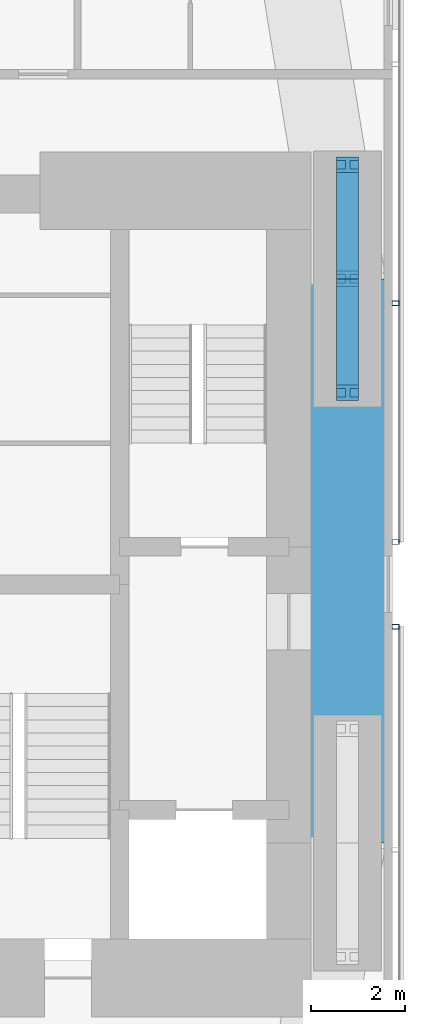
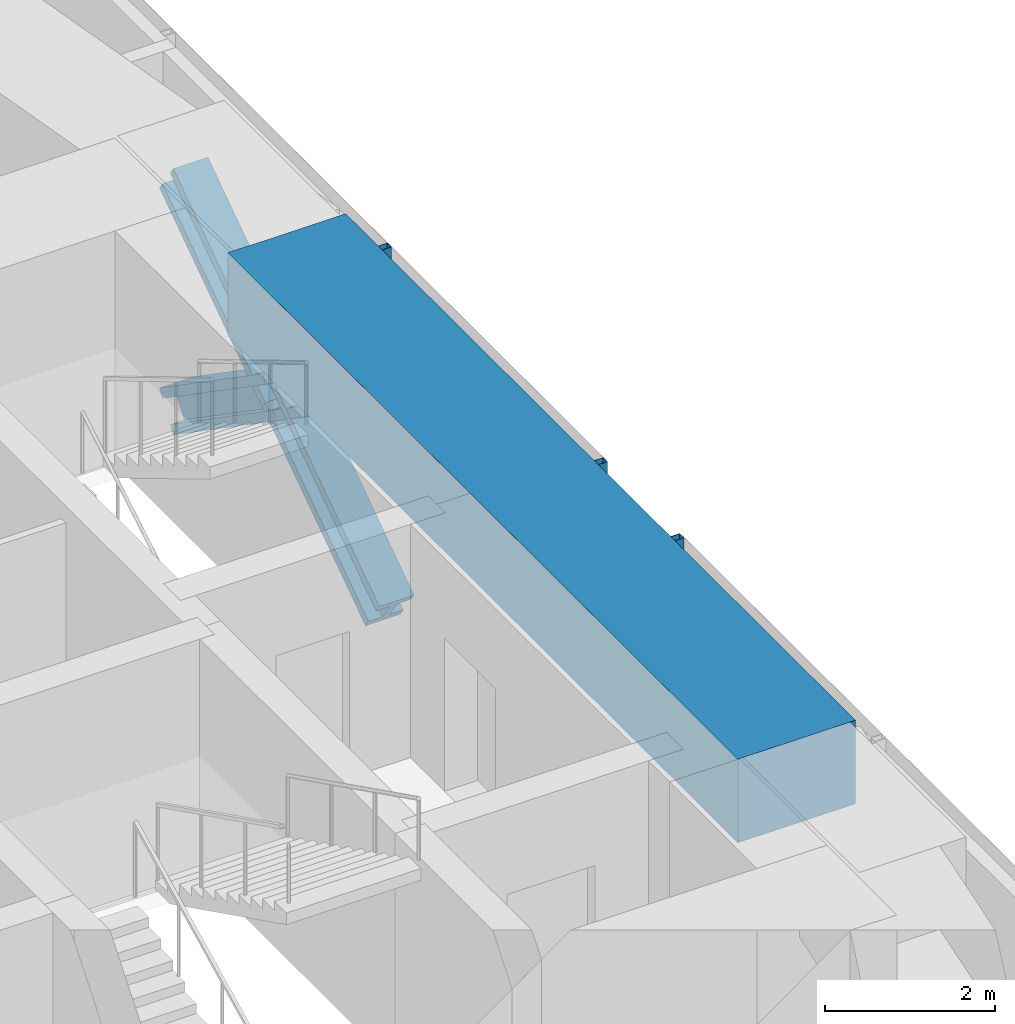
# One storey, part 9 of 23: 7 members, 1 beam, 2 elements without a shape of their own.
"""IFC4 building model written with IfcOpenShell, lengths in metres."""

from ifc_helpers import new_model, si_unit, direction, frame, origin, origin_2d, place, context, subcontext, project, spatial, rectangle, hollow_rectangle, i_section, extrude, material, material_profile, profile_set, type_object, element, aggregate, save


model = new_model("IFC4")

# Units and contexts
model_context = context("Model", 3, precision=1e-05, world=origin(), true_north=direction((0.0, 1.0)))
body_context = subcontext(model_context, "Body", "Model", "MODEL_VIEW")
ifc_project = project(units=[si_unit("LENGTHUNIT", "METRE"), si_unit("AREAUNIT", "SQUARE_METRE"), si_unit("VOLUMEUNIT", "CUBIC_METRE"), si_unit("PLANEANGLEUNIT", "RADIAN"), si_unit("MASSUNIT", "GRAM", prefix="KILO")], contexts=[model_context])

# Site, building, storey
site_placement = place(None, origin())
site = spatial("IfcSite", under=ifc_project, at=site_placement, CompositionType="ELEMENT")
building_placement = place(site_placement, origin())
building = spatial("IfcBuilding", under=site, at=building_placement, Name="Jalousie Tower", CompositionType="ELEMENT")
storey_placement = place(building_placement, frame((0.0, 0.0, 27.699951171875)))
storey = spatial("IfcBuildingStorey", under=building, at=storey_placement, Name="L06", CompositionType="ELEMENT", Elevation=27.699951171875)

# Members
ifc_material_1 = material(Name="Steel ASTM A992 Grade 50", Category="steel")
ifc_material_profile_1 = material_profile(ifc_material_1, i_section(OverallWidth=0.472412109375, OverallDepth=0.5791015625, WebThickness=0.094970703125, FlangeThickness=0.1298828125, at=origin_2d()), Name="W14X808")
ifc_profile_set_1 = profile_set([ifc_material_profile_1], Name="Steel ASTM A992 Grade 50")
member_type_1 = type_object("IfcMemberType", Name="PERIMETER BRACE W14X808", PredefinedType="BRACE", material=ifc_profile_set_1)
for number, where, z_axis, x_axis, name in (
    (1, (45.050048828125, 22.574951171875, -0.599853515625), (0.0, 0.82283879777, 0.568274856811), (-1.0, 0.0, 0.0), "Perimeter brace 07 L06 part 1"),
    (2, (45.050048828125, 25.0, 1.074951171875), (0.0, 0.822800062329, 0.568330940062), (-1.0, 0.0, 0.0), "Perimeter brace 07 L06 part 2"),
    (3, (45.050048828125, 27.425048828125, -0.599853515625), (0.0, -0.82283879777, 0.568274856811), (1.0, 0.0, 0.0), "Perimeter brace 07 L06 part 3"),
    (4, (45.050048828125, 25.0, 1.074951171875), (0.0, -0.822800062329, 0.568330940062), (1.0, 0.0, 0.0), "Perimeter brace 07 L06 part 4"),
):
    element("IfcMember", number, at=place(storey_placement, frame(where, z_axis=z_axis, x_axis=x_axis)), inside=storey, type_object=member_type_1, Name=name, PredefinedType="BRACE", context=body_context, shape_type="SweptSolid", body=[
        extrude(i_section(OverallWidth=0.472412109375, OverallDepth=0.5791015625, WebThickness=0.094970703125, FlangeThickness=0.1298828125, at=origin_2d()), origin(), (0.0, 0.0, 1.0), 2.947265625),
    ])

# Beam
ifc_material_2 = material(Name="Concrete f'c 40 MPa", Category="concrete")
ifc_material_profile_2 = material_profile(ifc_material_2, rectangle(XDim=1.60009765625, YDim=1.199951171875, at=origin_2d()), Name="RC 1600x1200")
ifc_profile_set_2 = profile_set([ifc_material_profile_2], Name="Concrete f'c 40 MPa")
beam_type = type_object("IfcBeamType", Name="RC BEAM 1600x1200", PredefinedType="BEAM", material=ifc_profile_set_2)
beam_placement = place(storey_placement, frame((45.050048828125, 13.0, 2.75), z_axis=(0.0, 1.0, 0.0), x_axis=(-1.0, 0.0, 0.0)))
element("IfcBeam", 5, at=beam_placement, inside=storey, type_object=beam_type, Name="Edge band beam 06-07 under L07", PredefinedType="BEAM", context=body_context, shape_type="SweptSolid", body=[
    extrude(rectangle(XDim=1.60009765625, YDim=1.199951171875, at=origin_2d()), origin(), (0.0, 0.0, 1.0), 12.0),
])

# Curtain wall, member
ifc_material_3 = material(Name="Perforated aluminium sheet", Category="aluminium")
curtain_wall_type = type_object("IfcCurtainWallType", Name="SOLAR SCREEN SS-1", PredefinedType="USERDEFINED", material=ifc_material_3)
curtain_wall_1_placement = place(storey_placement, origin())
curtain_wall_1 = element("IfcCurtainWall", 6, at=curtain_wall_1_placement, inside=storey, type_object=curtain_wall_type, Name="Solar screen L06", ObjectType="SOLAR SCREEN SS-1", PredefinedType="USERDEFINED")
ifc_material_4 = material(Name="Steel ASTM A500 Grade C", Category="steel")
ifc_material_profile_3 = material_profile(ifc_material_4, hollow_rectangle(XDim=0.1015625, YDim=0.15234375, WallThickness=0.00634765625, at=origin_2d()), Name="HSS6X4X1/4")
ifc_profile_set_3 = profile_set([ifc_material_profile_3], Name="Steel ASTM A500 Grade C")
member_type_2 = type_object("IfcMemberType", Name="SOLAR SCREEN SS-1 MULLION", PredefinedType="MULLION", material=ifc_profile_set_3)
member_1_placement = place(storey_placement, frame((46.0712890625, 17.60009765625, -0.119873046875), z_axis=(0.0, 0.0, 1.0), x_axis=(0.0, 1.0, 0.0)))
member_1 = element("IfcMember", 7, at=member_1_placement, type_object=member_type_2, Name="SS1 post 4", PredefinedType="MULLION", context=body_context, shape_type="SweptSolid", body=[
    extrude(hollow_rectangle(XDim=0.1015625, YDim=0.15234375, WallThickness=0.00634765625, at=origin_2d()), origin(), (0.0, 0.0, 1.0), 3.22998046875),
])
aggregate(curtain_wall_1, [member_1])

# Curtain wall, members
curtain_wall_2_placement = place(storey_placement, origin())
curtain_wall_2 = element("IfcCurtainWall", 8, at=curtain_wall_2_placement, inside=storey, type_object=curtain_wall_type, Name="Solar screen L06", ObjectType="SOLAR SCREEN SS-1", PredefinedType="USERDEFINED")
member_2_placement = place(storey_placement, frame((46.0712890625, 19.39990234375, -0.119873046875), z_axis=(0.0, 0.0, 1.0), x_axis=(0.0, 1.0, 0.0)))
member_2 = element("IfcMember", 9, at=member_2_placement, type_object=member_type_2, Name="SS1 post 1", PredefinedType="MULLION", context=body_context, shape_type="SweptSolid", body=[
    extrude(hollow_rectangle(XDim=0.1015625, YDim=0.15234375, WallThickness=0.00634765625, at=origin_2d()), origin(), (0.0, 0.0, 1.0), 3.22998046875),
])
member_3_placement = place(storey_placement, frame((46.0712890625, 24.48291015625, -0.119873046875), z_axis=(0.0, 0.0, 1.0), x_axis=(0.0, 1.0, 0.0)))
member_3 = element("IfcMember", 10, at=member_3_placement, type_object=member_type_2, Name="SS1 post 2", PredefinedType="MULLION", context=body_context, shape_type="SweptSolid", body=[
    extrude(hollow_rectangle(XDim=0.1015625, YDim=0.15234375, WallThickness=0.00634765625, at=origin_2d()), origin(), (0.0, 0.0, 1.0), 3.22998046875),
])
aggregate(curtain_wall_2, [member_2, member_3])

save(model, "model.ifc")
